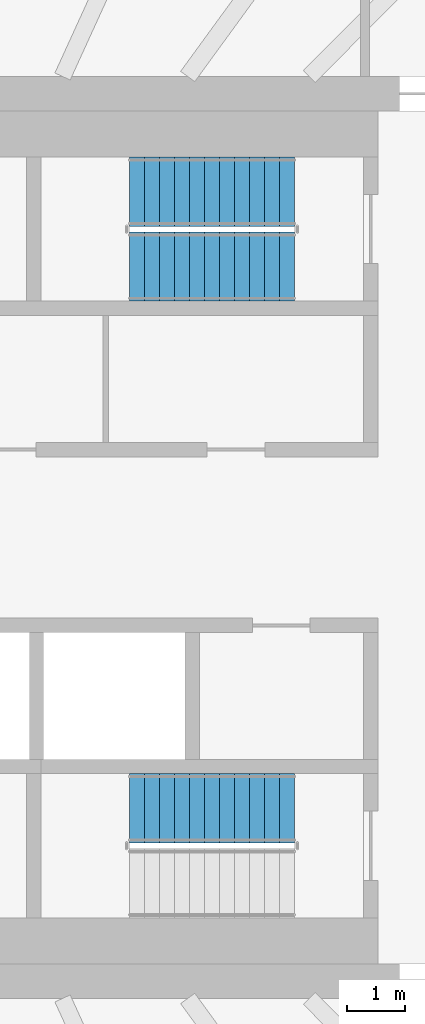
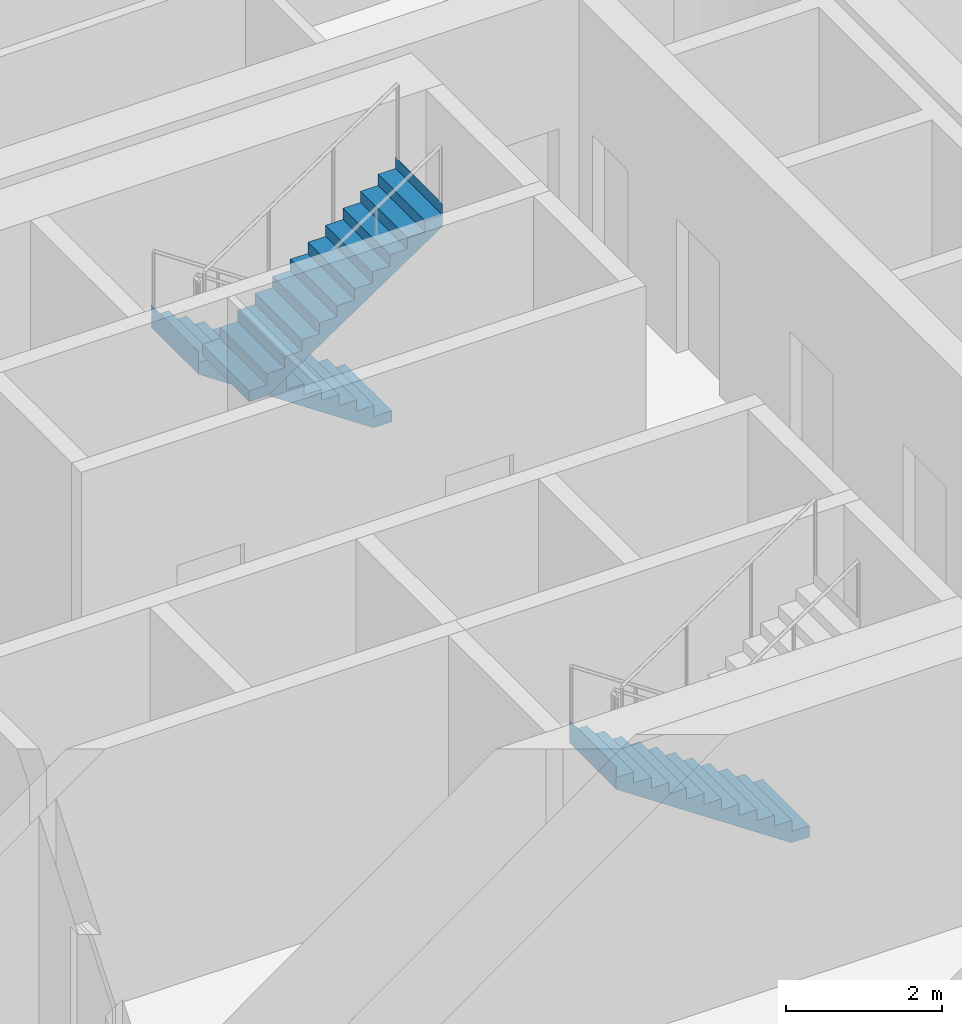
# One storey, part 21 of 28: 3 stair flights, 2 elements without a shape of their own.
"""IFC4 building model written with IfcOpenShell, lengths in metres."""

from ifc_helpers import new_model, si_unit, direction, frame, origin, place, context, subcontext, project, spatial, triangles, material, type_object, element, aggregate, save


model = new_model("IFC4")

# Units and contexts
model_context = context("Model", 3, precision=1e-05, world=origin(), true_north=direction((0.0, 1.0)))
body_context = subcontext(model_context, "Body", "Model", "MODEL_VIEW")
ifc_project = project(units=[si_unit("LENGTHUNIT", "METRE"), si_unit("AREAUNIT", "SQUARE_METRE"), si_unit("VOLUMEUNIT", "CUBIC_METRE"), si_unit("PLANEANGLEUNIT", "RADIAN"), si_unit("MASSUNIT", "GRAM", prefix="KILO")], contexts=[model_context])

# Site, building, storey
site_placement = place(None, origin())
site = spatial("IfcSite", under=ifc_project, at=site_placement, CompositionType="ELEMENT")
building_placement = place(site_placement, origin())
building = spatial("IfcBuilding", under=site, at=building_placement, Name="Sahrelin Media Tower", CompositionType="ELEMENT")
storey_placement = place(building_placement, frame((0.0, 0.0, 75.60009765625)))
storey = spatial("IfcBuildingStorey", under=building, at=storey_placement, Name="L13", CompositionType="ELEMENT", Elevation=75.60009765625)

# Stair, stair flights
ifc_material = material(Name="Concrete C40/50", Category="concrete")
stair_type = type_object("IfcStairType", Name="Exit stair 1200", PredefinedType="HALF_TURN_STAIR", material=ifc_material)
placement = place(storey_placement, origin())
stair_1 = element("IfcStair", 1, at=placement, inside=storey, type_object=stair_type, Name="L13 Exit stair ST3", PredefinedType="HALF_TURN_STAIR")
stair_flight_type = type_object("IfcStairFlightType", Name="Stair flight 1200", PredefinedType="STRAIGHT", material=ifc_material)
stair_flight_1_placement = place(storey_placement, frame((7.675048828125, 6.0, 0.0), z_axis=(0.0, 0.0, 1.0), x_axis=(-1.0, 0.0, 0.0)))
stair_flight_1 = element("IfcStairFlight", 2, at=stair_flight_1_placement, type_object=stair_flight_type, Name="ST3 flight 1", NumberOfRisers=12, NumberOfTreads=11, PredefinedType="STRAIGHT", RiserHeight=0.175, TreadLength=0.26, context=body_context, shape_type="Tessellation", body=[
    triangles([(0.2685546875, 0.60009765625, 0.0), (0.2685546875, 0.300048828125, 0.0), (0.2685546875, 0.0, 0.0), (0.2685546875, -0.300048828125, 0.0), (0.2685546875, -0.60009765625, 0.0), (2.860107421875, 0.60009765625, 1.744384765625), (2.860107421875, 0.300048828125, 1.744384765625), (2.860107421875, 0.0, 1.744384765625), (2.860107421875, -0.300048828125, 1.744384765625), (2.860107421875, -0.60009765625, 1.744384765625), (2.860107421875, 0.60009765625, 2.10009765625), (2.860107421875, 0.300048828125, 2.10009765625), (2.860107421875, 0.0, 2.10009765625), (2.860107421875, -0.300048828125, 2.10009765625), (2.860107421875, -0.60009765625, 2.10009765625), (2.85791015625, 0.60009765625, 2.10009765625), (2.85791015625, 0.300048828125, 2.10009765625), (2.85791015625, 0.0, 2.10009765625), (2.85791015625, -0.300048828125, 2.10009765625), (2.85791015625, -0.60009765625, 2.10009765625), (2.85791015625, 0.60009765625, 1.925048828125), (2.85791015625, 0.300048828125, 1.925048828125), (2.85791015625, 0.0, 1.925048828125), (2.85791015625, -0.300048828125, 1.925048828125), (2.85791015625, -0.60009765625, 1.925048828125), (2.60009765625, 0.60009765625, 1.925048828125), (2.60009765625, 0.300048828125, 1.925048828125), (2.60009765625, 0.0, 1.925048828125), (2.60009765625, -0.300048828125, 1.925048828125), (2.60009765625, -0.60009765625, 1.925048828125), (2.60009765625, 0.60009765625, 1.75), (2.60009765625, 0.300048828125, 1.75), (2.60009765625, 0.0, 1.75), (2.60009765625, -0.300048828125, 1.75), (2.60009765625, -0.60009765625, 1.75), (2.340087890625, 0.60009765625, 1.75), (2.340087890625, 0.300048828125, 1.75), (2.340087890625, 0.0, 1.75), (2.340087890625, -0.300048828125, 1.75), (2.340087890625, -0.60009765625, 1.75), (2.340087890625, 0.60009765625, 1.574951171875), (2.340087890625, 0.300048828125, 1.574951171875), (2.340087890625, 0.0, 1.574951171875), (2.340087890625, -0.300048828125, 1.574951171875), (2.340087890625, -0.60009765625, 1.574951171875), (2.080078125, 0.60009765625, 1.574951171875), (2.080078125, 0.300048828125, 1.574951171875), (2.080078125, 0.0, 1.574951171875), (2.080078125, -0.300048828125, 1.574951171875), (2.080078125, -0.60009765625, 1.574951171875), (2.080078125, 0.60009765625, 1.39990234375), (2.080078125, 0.300048828125, 1.39990234375), (2.080078125, 0.0, 1.39990234375), (2.080078125, -0.300048828125, 1.39990234375), (2.080078125, -0.60009765625, 1.39990234375), (1.820068359375, 0.60009765625, 1.39990234375), (1.820068359375, 0.300048828125, 1.39990234375), (1.820068359375, 0.0, 1.39990234375), (1.820068359375, -0.300048828125, 1.39990234375), (1.820068359375, -0.60009765625, 1.39990234375), (1.820068359375, 0.60009765625, 1.22509765625), (1.820068359375, 0.300048828125, 1.22509765625), (1.820068359375, 0.0, 1.22509765625), (1.820068359375, -0.300048828125, 1.22509765625), (1.820068359375, -0.60009765625, 1.22509765625), (1.56005859375, 0.60009765625, 1.22509765625), (1.56005859375, 0.300048828125, 1.22509765625), (1.56005859375, 0.0, 1.22509765625), (1.56005859375, -0.300048828125, 1.22509765625), (1.56005859375, -0.60009765625, 1.22509765625), (1.56005859375, 0.60009765625, 1.050048828125), (1.56005859375, 0.300048828125, 1.050048828125), (1.56005859375, 0.0, 1.050048828125), (1.56005859375, -0.300048828125, 1.050048828125), (1.56005859375, -0.60009765625, 1.050048828125), (1.300048828125, 0.60009765625, 1.050048828125), (1.300048828125, 0.300048828125, 1.050048828125), (1.300048828125, 0.0, 1.050048828125), (1.300048828125, -0.300048828125, 1.050048828125), (1.300048828125, -0.60009765625, 1.050048828125), (1.300048828125, 0.60009765625, 0.875), (1.300048828125, 0.300048828125, 0.875), (1.300048828125, 0.0, 0.875), (1.300048828125, -0.300048828125, 0.875), (1.300048828125, -0.60009765625, 0.875), (1.0400390625, 0.60009765625, 0.875), (1.0400390625, 0.300048828125, 0.875), (1.0400390625, 0.0, 0.875), (1.0400390625, -0.300048828125, 0.875), (1.0400390625, -0.60009765625, 0.875), (1.0400390625, 0.60009765625, 0.699951171875), (1.0400390625, 0.300048828125, 0.699951171875), (1.0400390625, 0.0, 0.699951171875), (1.0400390625, -0.300048828125, 0.699951171875), (1.0400390625, -0.60009765625, 0.699951171875), (0.780029296875, 0.60009765625, 0.699951171875), (0.780029296875, 0.300048828125, 0.699951171875), (0.780029296875, 0.0, 0.699951171875), (0.780029296875, -0.300048828125, 0.699951171875), (0.780029296875, -0.60009765625, 0.699951171875), (0.780029296875, 0.60009765625, 0.52490234375), (0.780029296875, 0.300048828125, 0.52490234375), (0.780029296875, 0.0, 0.52490234375), (0.780029296875, -0.300048828125, 0.52490234375), (0.780029296875, -0.60009765625, 0.52490234375), (0.52001953125, 0.60009765625, 0.52490234375), (0.52001953125, 0.300048828125, 0.52490234375), (0.52001953125, 0.0, 0.52490234375), (0.52001953125, -0.300048828125, 0.52490234375), (0.52001953125, -0.60009765625, 0.52490234375), (0.52001953125, 0.60009765625, 0.35009765625), (0.52001953125, 0.300048828125, 0.35009765625), (0.52001953125, 0.0, 0.35009765625), (0.52001953125, -0.300048828125, 0.35009765625), (0.52001953125, -0.60009765625, 0.35009765625), (0.260009765625, 0.60009765625, 0.35009765625), (0.260009765625, 0.300048828125, 0.35009765625), (0.260009765625, 0.0, 0.35009765625), (0.260009765625, -0.300048828125, 0.35009765625), (0.260009765625, -0.60009765625, 0.35009765625), (0.260009765625, 0.60009765625, 0.175048828125), (0.260009765625, 0.300048828125, 0.175048828125), (0.260009765625, 0.0, 0.175048828125), (0.260009765625, -0.300048828125, 0.175048828125), (0.260009765625, -0.60009765625, 0.175048828125), (0.0, 0.60009765625, 0.175048828125), (0.0, 0.300048828125, 0.175048828125), (0.0, 0.0, 0.175048828125), (0.0, -0.300048828125, 0.175048828125), (0.0, -0.60009765625, 0.175048828125), (0.0, 0.60009765625, 0.0), (0.0, 0.300048828125, 0.0), (0.0, 0.0, 0.0), (0.0, -0.300048828125, 0.0), (0.0, -0.60009765625, 0.0)], [[1, 6, 7], [1, 7, 2], [2, 7, 8], [2, 8, 3], [3, 8, 9], [3, 9, 4], [4, 9, 10], [4, 10, 5], [6, 11, 12], [6, 12, 7], [7, 12, 13], [7, 13, 8], [8, 13, 14], [8, 14, 9], [9, 14, 15], [9, 15, 10], [11, 16, 17], [11, 17, 12], [12, 17, 18], [12, 18, 13], [13, 18, 19], [13, 19, 14], [14, 19, 20], [14, 20, 15], [16, 21, 22], [16, 22, 17], [17, 22, 23], [17, 23, 18], [18, 23, 24], [18, 24, 19], [19, 24, 25], [19, 25, 20], [21, 26, 27], [21, 27, 22], [22, 27, 28], [22, 28, 23], [23, 28, 29], [23, 29, 24], [24, 29, 30], [24, 30, 25], [26, 31, 32], [26, 32, 27], [27, 32, 33], [27, 33, 28], [28, 33, 34], [28, 34, 29], [29, 34, 35], [29, 35, 30], [31, 36, 37], [31, 37, 32], [32, 37, 38], [32, 38, 33], [33, 38, 39], [33, 39, 34], [34, 39, 40], [34, 40, 35], [36, 41, 42], [36, 42, 37], [37, 42, 43], [37, 43, 38], [38, 43, 44], [38, 44, 39], [39, 44, 45], [39, 45, 40], [41, 46, 47], [41, 47, 42], [42, 47, 48], [42, 48, 43], [43, 48, 49], [43, 49, 44], [44, 49, 50], [44, 50, 45], [46, 51, 52], [46, 52, 47], [47, 52, 53], [47, 53, 48], [48, 53, 54], [48, 54, 49], [49, 54, 55], [49, 55, 50], [51, 56, 57], [51, 57, 52], [52, 57, 58], [52, 58, 53], [53, 58, 59], [53, 59, 54], [54, 59, 60], [54, 60, 55], [56, 61, 62], [56, 62, 57], [57, 62, 63], [57, 63, 58], [58, 63, 64], [58, 64, 59], [59, 64, 65], [59, 65, 60], [61, 66, 67], [61, 67, 62], [62, 67, 68], [62, 68, 63], [63, 68, 69], [63, 69, 64], [64, 69, 70], [64, 70, 65], [66, 71, 72], [66, 72, 67], [67, 72, 73], [67, 73, 68], [68, 73, 74], [68, 74, 69], [69, 74, 75], [69, 75, 70], [71, 76, 77], [71, 77, 72], [72, 77, 78], [72, 78, 73], [73, 78, 79], [73, 79, 74], [74, 79, 80], [74, 80, 75], [76, 81, 82], [76, 82, 77], [77, 82, 83], [77, 83, 78], [78, 83, 84], [78, 84, 79], [79, 84, 85], [79, 85, 80], [81, 86, 87], [81, 87, 82], [82, 87, 88], [82, 88, 83], [83, 88, 89], [83, 89, 84], [84, 89, 90], [84, 90, 85], [86, 91, 92], [86, 92, 87], [87, 92, 93], [87, 93, 88], [88, 93, 94], [88, 94, 89], [89, 94, 95], [89, 95, 90], [91, 96, 97], [91, 97, 92], [92, 97, 98], [92, 98, 93], [93, 98, 99], [93, 99, 94], [94, 99, 100], [94, 100, 95], [96, 101, 102], [96, 102, 97], [97, 102, 103], [97, 103, 98], [98, 103, 104], [98, 104, 99], [99, 104, 105], [99, 105, 100], [101, 106, 107], [101, 107, 102], [102, 107, 108], [102, 108, 103], [103, 108, 109], [103, 109, 104], [104, 109, 110], [104, 110, 105], [106, 111, 112], [106, 112, 107], [107, 112, 113], [107, 113, 108], [108, 113, 114], [108, 114, 109], [109, 114, 115], [109, 115, 110], [111, 116, 117], [111, 117, 112], [112, 117, 118], [112, 118, 113], [113, 118, 119], [113, 119, 114], [114, 119, 120], [114, 120, 115], [116, 121, 122], [116, 122, 117], [117, 122, 123], [117, 123, 118], [118, 123, 124], [118, 124, 119], [119, 124, 125], [119, 125, 120], [121, 126, 127], [121, 127, 122], [122, 127, 128], [122, 128, 123], [123, 128, 129], [123, 129, 124], [124, 129, 130], [124, 130, 125], [126, 131, 132], [126, 132, 127], [127, 132, 133], [127, 133, 128], [128, 133, 134], [128, 134, 129], [129, 134, 135], [129, 135, 130], [131, 1, 2], [131, 2, 132], [132, 2, 3], [132, 3, 133], [133, 3, 4], [133, 4, 134], [134, 4, 5], [134, 5, 135], [125, 130, 135], [121, 131, 126], [125, 115, 120], [121, 116, 111], [115, 105, 110], [111, 106, 101], [105, 95, 100], [101, 96, 91], [95, 85, 90], [91, 86, 81], [85, 75, 80], [81, 76, 71], [75, 65, 70], [71, 66, 61], [65, 55, 60], [61, 56, 51], [55, 45, 50], [51, 46, 41], [45, 35, 40], [41, 36, 31], [35, 25, 30], [31, 26, 21], [25, 15, 20], [21, 16, 11], [135, 5, 125], [131, 121, 1], [95, 105, 5], [91, 1, 101], [5, 10, 75], [1, 71, 6], [10, 35, 45], [6, 41, 31], [25, 10, 15], [21, 11, 6], [115, 125, 5], [111, 1, 121], [75, 85, 5], [71, 1, 81], [35, 10, 25], [31, 21, 6], [105, 115, 5], [101, 1, 111], [45, 55, 10], [41, 6, 51], [85, 95, 5], [81, 1, 91], [65, 10, 55], [61, 51, 6], [10, 65, 75], [6, 71, 61]], closed=True),
])
stair_flight_2_placement = place(storey_placement, frame((4.81494140625, 4.699951171875, 2.099853515625), z_axis=(0.0, 0.0, 1.0), x_axis=(1.0, 0.0, 0.0)))
stair_flight_2 = element("IfcStairFlight", 3, at=stair_flight_2_placement, type_object=stair_flight_type, Name="ST3 flight 2", NumberOfRisers=12, NumberOfTreads=11, PredefinedType="STRAIGHT", RiserHeight=0.175, TreadLength=0.26, context=body_context, shape_type="Tessellation", body=[
    triangles([(0.2685546875, 0.60009765625, 0.0), (0.2685546875, 0.300048828125, 0.0), (0.2685546875, 0.0, 0.0), (0.2685546875, -0.300048828125, 0.0), (0.2685546875, -0.60009765625, 0.0), (2.860107421875, 0.60009765625, 1.744384765625), (2.860107421875, 0.300048828125, 1.744384765625), (2.860107421875, 0.0, 1.744384765625), (2.860107421875, -0.300048828125, 1.744384765625), (2.860107421875, -0.60009765625, 1.744384765625), (2.860107421875, 0.60009765625, 2.10009765625), (2.860107421875, 0.300048828125, 2.10009765625), (2.860107421875, 0.0, 2.10009765625), (2.860107421875, -0.300048828125, 2.10009765625), (2.860107421875, -0.60009765625, 2.10009765625), (2.85791015625, 0.60009765625, 2.10009765625), (2.85791015625, 0.300048828125, 2.10009765625), (2.85791015625, 0.0, 2.10009765625), (2.85791015625, -0.300048828125, 2.10009765625), (2.85791015625, -0.60009765625, 2.10009765625), (2.85791015625, 0.60009765625, 1.925048828125), (2.85791015625, 0.300048828125, 1.925048828125), (2.85791015625, 0.0, 1.925048828125), (2.85791015625, -0.300048828125, 1.925048828125), (2.85791015625, -0.60009765625, 1.925048828125), (2.60009765625, 0.60009765625, 1.925048828125), (2.60009765625, 0.300048828125, 1.925048828125), (2.60009765625, 0.0, 1.925048828125), (2.60009765625, -0.300048828125, 1.925048828125), (2.60009765625, -0.60009765625, 1.925048828125), (2.60009765625, 0.60009765625, 1.75), (2.60009765625, 0.300048828125, 1.75), (2.60009765625, 0.0, 1.75), (2.60009765625, -0.300048828125, 1.75), (2.60009765625, -0.60009765625, 1.75), (2.340087890625, 0.60009765625, 1.75), (2.340087890625, 0.300048828125, 1.75), (2.340087890625, 0.0, 1.75), (2.340087890625, -0.300048828125, 1.75), (2.340087890625, -0.60009765625, 1.75), (2.340087890625, 0.60009765625, 1.574951171875), (2.340087890625, 0.300048828125, 1.574951171875), (2.340087890625, 0.0, 1.574951171875), (2.340087890625, -0.300048828125, 1.574951171875), (2.340087890625, -0.60009765625, 1.574951171875), (2.080078125, 0.60009765625, 1.574951171875), (2.080078125, 0.300048828125, 1.574951171875), (2.080078125, 0.0, 1.574951171875), (2.080078125, -0.300048828125, 1.574951171875), (2.080078125, -0.60009765625, 1.574951171875), (2.080078125, 0.60009765625, 1.39990234375), (2.080078125, 0.300048828125, 1.39990234375), (2.080078125, 0.0, 1.39990234375), (2.080078125, -0.300048828125, 1.39990234375), (2.080078125, -0.60009765625, 1.39990234375), (1.820068359375, 0.60009765625, 1.39990234375), (1.820068359375, 0.300048828125, 1.39990234375), (1.820068359375, 0.0, 1.39990234375), (1.820068359375, -0.300048828125, 1.39990234375), (1.820068359375, -0.60009765625, 1.39990234375), (1.820068359375, 0.60009765625, 1.22509765625), (1.820068359375, 0.300048828125, 1.22509765625), (1.820068359375, 0.0, 1.22509765625), (1.820068359375, -0.300048828125, 1.22509765625), (1.820068359375, -0.60009765625, 1.22509765625), (1.56005859375, 0.60009765625, 1.22509765625), (1.56005859375, 0.300048828125, 1.22509765625), (1.56005859375, 0.0, 1.22509765625), (1.56005859375, -0.300048828125, 1.22509765625), (1.56005859375, -0.60009765625, 1.22509765625), (1.56005859375, 0.60009765625, 1.050048828125), (1.56005859375, 0.300048828125, 1.050048828125), (1.56005859375, 0.0, 1.050048828125), (1.56005859375, -0.300048828125, 1.050048828125), (1.56005859375, -0.60009765625, 1.050048828125), (1.300048828125, 0.60009765625, 1.050048828125), (1.300048828125, 0.300048828125, 1.050048828125), (1.300048828125, 0.0, 1.050048828125), (1.300048828125, -0.300048828125, 1.050048828125), (1.300048828125, -0.60009765625, 1.050048828125), (1.300048828125, 0.60009765625, 0.875), (1.300048828125, 0.300048828125, 0.875), (1.300048828125, 0.0, 0.875), (1.300048828125, -0.300048828125, 0.875), (1.300048828125, -0.60009765625, 0.875), (1.0400390625, 0.60009765625, 0.875), (1.0400390625, 0.300048828125, 0.875), (1.0400390625, 0.0, 0.875), (1.0400390625, -0.300048828125, 0.875), (1.0400390625, -0.60009765625, 0.875), (1.0400390625, 0.60009765625, 0.699951171875), (1.0400390625, 0.300048828125, 0.699951171875), (1.0400390625, 0.0, 0.699951171875), (1.0400390625, -0.300048828125, 0.699951171875), (1.0400390625, -0.60009765625, 0.699951171875), (0.780029296875, 0.60009765625, 0.699951171875), (0.780029296875, 0.300048828125, 0.699951171875), (0.780029296875, 0.0, 0.699951171875), (0.780029296875, -0.300048828125, 0.699951171875), (0.780029296875, -0.60009765625, 0.699951171875), (0.780029296875, 0.60009765625, 0.52490234375), (0.780029296875, 0.300048828125, 0.52490234375), (0.780029296875, 0.0, 0.52490234375), (0.780029296875, -0.300048828125, 0.52490234375), (0.780029296875, -0.60009765625, 0.52490234375), (0.52001953125, 0.60009765625, 0.52490234375), (0.52001953125, 0.300048828125, 0.52490234375), (0.52001953125, 0.0, 0.52490234375), (0.52001953125, -0.300048828125, 0.52490234375), (0.52001953125, -0.60009765625, 0.52490234375), (0.52001953125, 0.60009765625, 0.35009765625), (0.52001953125, 0.300048828125, 0.35009765625), (0.52001953125, 0.0, 0.35009765625), (0.52001953125, -0.300048828125, 0.35009765625), (0.52001953125, -0.60009765625, 0.35009765625), (0.260009765625, 0.60009765625, 0.35009765625), (0.260009765625, 0.300048828125, 0.35009765625), (0.260009765625, 0.0, 0.35009765625), (0.260009765625, -0.300048828125, 0.35009765625), (0.260009765625, -0.60009765625, 0.35009765625), (0.260009765625, 0.60009765625, 0.175048828125), (0.260009765625, 0.300048828125, 0.175048828125), (0.260009765625, 0.0, 0.175048828125), (0.260009765625, -0.300048828125, 0.175048828125), (0.260009765625, -0.60009765625, 0.175048828125), (0.0, 0.60009765625, 0.175048828125), (0.0, 0.300048828125, 0.175048828125), (0.0, 0.0, 0.175048828125), (0.0, -0.300048828125, 0.175048828125), (0.0, -0.60009765625, 0.175048828125), (0.0, 0.60009765625, 0.0), (0.0, 0.300048828125, 0.0), (0.0, 0.0, 0.0), (0.0, -0.300048828125, 0.0), (0.0, -0.60009765625, 0.0)], [[1, 6, 7], [1, 7, 2], [2, 7, 8], [2, 8, 3], [3, 8, 9], [3, 9, 4], [4, 9, 10], [4, 10, 5], [6, 11, 12], [6, 12, 7], [7, 12, 13], [7, 13, 8], [8, 13, 14], [8, 14, 9], [9, 14, 15], [9, 15, 10], [11, 16, 17], [11, 17, 12], [12, 17, 18], [12, 18, 13], [13, 18, 19], [13, 19, 14], [14, 19, 20], [14, 20, 15], [16, 21, 22], [16, 22, 17], [17, 22, 23], [17, 23, 18], [18, 23, 24], [18, 24, 19], [19, 24, 25], [19, 25, 20], [21, 26, 27], [21, 27, 22], [22, 27, 28], [22, 28, 23], [23, 28, 29], [23, 29, 24], [24, 29, 30], [24, 30, 25], [26, 31, 32], [26, 32, 27], [27, 32, 33], [27, 33, 28], [28, 33, 34], [28, 34, 29], [29, 34, 35], [29, 35, 30], [31, 36, 37], [31, 37, 32], [32, 37, 38], [32, 38, 33], [33, 38, 39], [33, 39, 34], [34, 39, 40], [34, 40, 35], [36, 41, 42], [36, 42, 37], [37, 42, 43], [37, 43, 38], [38, 43, 44], [38, 44, 39], [39, 44, 45], [39, 45, 40], [41, 46, 47], [41, 47, 42], [42, 47, 48], [42, 48, 43], [43, 48, 49], [43, 49, 44], [44, 49, 50], [44, 50, 45], [46, 51, 52], [46, 52, 47], [47, 52, 53], [47, 53, 48], [48, 53, 54], [48, 54, 49], [49, 54, 55], [49, 55, 50], [51, 56, 57], [51, 57, 52], [52, 57, 58], [52, 58, 53], [53, 58, 59], [53, 59, 54], [54, 59, 60], [54, 60, 55], [56, 61, 62], [56, 62, 57], [57, 62, 63], [57, 63, 58], [58, 63, 64], [58, 64, 59], [59, 64, 65], [59, 65, 60], [61, 66, 67], [61, 67, 62], [62, 67, 68], [62, 68, 63], [63, 68, 69], [63, 69, 64], [64, 69, 70], [64, 70, 65], [66, 71, 72], [66, 72, 67], [67, 72, 73], [67, 73, 68], [68, 73, 74], [68, 74, 69], [69, 74, 75], [69, 75, 70], [71, 76, 77], [71, 77, 72], [72, 77, 78], [72, 78, 73], [73, 78, 79], [73, 79, 74], [74, 79, 80], [74, 80, 75], [76, 81, 82], [76, 82, 77], [77, 82, 83], [77, 83, 78], [78, 83, 84], [78, 84, 79], [79, 84, 85], [79, 85, 80], [81, 86, 87], [81, 87, 82], [82, 87, 88], [82, 88, 83], [83, 88, 89], [83, 89, 84], [84, 89, 90], [84, 90, 85], [86, 91, 92], [86, 92, 87], [87, 92, 93], [87, 93, 88], [88, 93, 94], [88, 94, 89], [89, 94, 95], [89, 95, 90], [91, 96, 97], [91, 97, 92], [92, 97, 98], [92, 98, 93], [93, 98, 99], [93, 99, 94], [94, 99, 100], [94, 100, 95], [96, 101, 102], [96, 102, 97], [97, 102, 103], [97, 103, 98], [98, 103, 104], [98, 104, 99], [99, 104, 105], [99, 105, 100], [101, 106, 107], [101, 107, 102], [102, 107, 108], [102, 108, 103], [103, 108, 109], [103, 109, 104], [104, 109, 110], [104, 110, 105], [106, 111, 112], [106, 112, 107], [107, 112, 113], [107, 113, 108], [108, 113, 114], [108, 114, 109], [109, 114, 115], [109, 115, 110], [111, 116, 117], [111, 117, 112], [112, 117, 118], [112, 118, 113], [113, 118, 119], [113, 119, 114], [114, 119, 120], [114, 120, 115], [116, 121, 122], [116, 122, 117], [117, 122, 123], [117, 123, 118], [118, 123, 124], [118, 124, 119], [119, 124, 125], [119, 125, 120], [121, 126, 127], [121, 127, 122], [122, 127, 128], [122, 128, 123], [123, 128, 129], [123, 129, 124], [124, 129, 130], [124, 130, 125], [126, 131, 132], [126, 132, 127], [127, 132, 133], [127, 133, 128], [128, 133, 134], [128, 134, 129], [129, 134, 135], [129, 135, 130], [131, 1, 2], [131, 2, 132], [132, 2, 3], [132, 3, 133], [133, 3, 4], [133, 4, 134], [134, 4, 5], [134, 5, 135], [125, 130, 135], [121, 131, 126], [125, 115, 120], [121, 116, 111], [115, 105, 110], [111, 106, 101], [105, 95, 100], [101, 96, 91], [95, 85, 90], [91, 86, 81], [85, 75, 80], [81, 76, 71], [75, 65, 70], [71, 66, 61], [65, 55, 60], [61, 56, 51], [55, 45, 50], [51, 46, 41], [45, 35, 40], [41, 36, 31], [35, 25, 30], [31, 26, 21], [25, 15, 20], [21, 16, 11], [135, 5, 125], [131, 121, 1], [95, 105, 5], [91, 1, 101], [5, 10, 75], [1, 71, 6], [10, 35, 45], [6, 41, 31], [25, 10, 15], [21, 11, 6], [115, 125, 5], [111, 1, 121], [75, 85, 5], [71, 1, 81], [35, 10, 25], [31, 21, 6], [105, 115, 5], [101, 1, 111], [45, 55, 10], [41, 6, 51], [85, 95, 5], [81, 1, 91], [65, 10, 55], [61, 51, 6], [10, 65, 75], [6, 71, 61]], closed=True),
])
aggregate(stair_1, [stair_flight_1, stair_flight_2])

# Stair, stair flight
stair_2 = element("IfcStair", 4, at=placement, inside=storey, type_object=stair_type, Name="L13 Exit stair ST2", PredefinedType="HALF_TURN_STAIR")
stair_flight_3_placement = place(storey_placement, frame((7.675048828125, -4.699951171875, 0.0), z_axis=(0.0, 0.0, 1.0), x_axis=(-1.0, 0.0, 0.0)))
stair_flight_3 = element("IfcStairFlight", 5, at=stair_flight_3_placement, type_object=stair_flight_type, Name="ST2 flight 1", NumberOfRisers=12, NumberOfTreads=11, PredefinedType="STRAIGHT", RiserHeight=0.175, TreadLength=0.26, context=body_context, shape_type="Tessellation", body=[
    triangles([(0.2685546875, 0.60009765625, 0.0), (0.2685546875, 0.300048828125, 0.0), (0.2685546875, 0.0, 0.0), (0.2685546875, -0.300048828125, 0.0), (0.2685546875, -0.60009765625, 0.0), (2.860107421875, 0.60009765625, 1.744384765625), (2.860107421875, 0.300048828125, 1.744384765625), (2.860107421875, 0.0, 1.744384765625), (2.860107421875, -0.300048828125, 1.744384765625), (2.860107421875, -0.60009765625, 1.744384765625), (2.860107421875, 0.60009765625, 2.10009765625), (2.860107421875, 0.300048828125, 2.10009765625), (2.860107421875, 0.0, 2.10009765625), (2.860107421875, -0.300048828125, 2.10009765625), (2.860107421875, -0.60009765625, 2.10009765625), (2.85791015625, 0.60009765625, 2.10009765625), (2.85791015625, 0.300048828125, 2.10009765625), (2.85791015625, 0.0, 2.10009765625), (2.85791015625, -0.300048828125, 2.10009765625), (2.85791015625, -0.60009765625, 2.10009765625), (2.85791015625, 0.60009765625, 1.925048828125), (2.85791015625, 0.300048828125, 1.925048828125), (2.85791015625, 0.0, 1.925048828125), (2.85791015625, -0.300048828125, 1.925048828125), (2.85791015625, -0.60009765625, 1.925048828125), (2.60009765625, 0.60009765625, 1.925048828125), (2.60009765625, 0.300048828125, 1.925048828125), (2.60009765625, 0.0, 1.925048828125), (2.60009765625, -0.300048828125, 1.925048828125), (2.60009765625, -0.60009765625, 1.925048828125), (2.60009765625, 0.60009765625, 1.75), (2.60009765625, 0.300048828125, 1.75), (2.60009765625, 0.0, 1.75), (2.60009765625, -0.300048828125, 1.75), (2.60009765625, -0.60009765625, 1.75), (2.340087890625, 0.60009765625, 1.75), (2.340087890625, 0.300048828125, 1.75), (2.340087890625, 0.0, 1.75), (2.340087890625, -0.300048828125, 1.75), (2.340087890625, -0.60009765625, 1.75), (2.340087890625, 0.60009765625, 1.574951171875), (2.340087890625, 0.300048828125, 1.574951171875), (2.340087890625, 0.0, 1.574951171875), (2.340087890625, -0.300048828125, 1.574951171875), (2.340087890625, -0.60009765625, 1.574951171875), (2.080078125, 0.60009765625, 1.574951171875), (2.080078125, 0.300048828125, 1.574951171875), (2.080078125, 0.0, 1.574951171875), (2.080078125, -0.300048828125, 1.574951171875), (2.080078125, -0.60009765625, 1.574951171875), (2.080078125, 0.60009765625, 1.39990234375), (2.080078125, 0.300048828125, 1.39990234375), (2.080078125, 0.0, 1.39990234375), (2.080078125, -0.300048828125, 1.39990234375), (2.080078125, -0.60009765625, 1.39990234375), (1.820068359375, 0.60009765625, 1.39990234375), (1.820068359375, 0.300048828125, 1.39990234375), (1.820068359375, 0.0, 1.39990234375), (1.820068359375, -0.300048828125, 1.39990234375), (1.820068359375, -0.60009765625, 1.39990234375), (1.820068359375, 0.60009765625, 1.22509765625), (1.820068359375, 0.300048828125, 1.22509765625), (1.820068359375, 0.0, 1.22509765625), (1.820068359375, -0.300048828125, 1.22509765625), (1.820068359375, -0.60009765625, 1.22509765625), (1.56005859375, 0.60009765625, 1.22509765625), (1.56005859375, 0.300048828125, 1.22509765625), (1.56005859375, 0.0, 1.22509765625), (1.56005859375, -0.300048828125, 1.22509765625), (1.56005859375, -0.60009765625, 1.22509765625), (1.56005859375, 0.60009765625, 1.050048828125), (1.56005859375, 0.300048828125, 1.050048828125), (1.56005859375, 0.0, 1.050048828125), (1.56005859375, -0.300048828125, 1.050048828125), (1.56005859375, -0.60009765625, 1.050048828125), (1.300048828125, 0.60009765625, 1.050048828125), (1.300048828125, 0.300048828125, 1.050048828125), (1.300048828125, 0.0, 1.050048828125), (1.300048828125, -0.300048828125, 1.050048828125), (1.300048828125, -0.60009765625, 1.050048828125), (1.300048828125, 0.60009765625, 0.875), (1.300048828125, 0.300048828125, 0.875), (1.300048828125, 0.0, 0.875), (1.300048828125, -0.300048828125, 0.875), (1.300048828125, -0.60009765625, 0.875), (1.0400390625, 0.60009765625, 0.875), (1.0400390625, 0.300048828125, 0.875), (1.0400390625, 0.0, 0.875), (1.0400390625, -0.300048828125, 0.875), (1.0400390625, -0.60009765625, 0.875), (1.0400390625, 0.60009765625, 0.699951171875), (1.0400390625, 0.300048828125, 0.699951171875), (1.0400390625, 0.0, 0.699951171875), (1.0400390625, -0.300048828125, 0.699951171875), (1.0400390625, -0.60009765625, 0.699951171875), (0.780029296875, 0.60009765625, 0.699951171875), (0.780029296875, 0.300048828125, 0.699951171875), (0.780029296875, 0.0, 0.699951171875), (0.780029296875, -0.300048828125, 0.699951171875), (0.780029296875, -0.60009765625, 0.699951171875), (0.780029296875, 0.60009765625, 0.52490234375), (0.780029296875, 0.300048828125, 0.52490234375), (0.780029296875, 0.0, 0.52490234375), (0.780029296875, -0.300048828125, 0.52490234375), (0.780029296875, -0.60009765625, 0.52490234375), (0.52001953125, 0.60009765625, 0.52490234375), (0.52001953125, 0.300048828125, 0.52490234375), (0.52001953125, 0.0, 0.52490234375), (0.52001953125, -0.300048828125, 0.52490234375), (0.52001953125, -0.60009765625, 0.52490234375), (0.52001953125, 0.60009765625, 0.35009765625), (0.52001953125, 0.300048828125, 0.35009765625), (0.52001953125, 0.0, 0.35009765625), (0.52001953125, -0.300048828125, 0.35009765625), (0.52001953125, -0.60009765625, 0.35009765625), (0.260009765625, 0.60009765625, 0.35009765625), (0.260009765625, 0.300048828125, 0.35009765625), (0.260009765625, 0.0, 0.35009765625), (0.260009765625, -0.300048828125, 0.35009765625), (0.260009765625, -0.60009765625, 0.35009765625), (0.260009765625, 0.60009765625, 0.175048828125), (0.260009765625, 0.300048828125, 0.175048828125), (0.260009765625, 0.0, 0.175048828125), (0.260009765625, -0.300048828125, 0.175048828125), (0.260009765625, -0.60009765625, 0.175048828125), (0.0, 0.60009765625, 0.175048828125), (0.0, 0.300048828125, 0.175048828125), (0.0, 0.0, 0.175048828125), (0.0, -0.300048828125, 0.175048828125), (0.0, -0.60009765625, 0.175048828125), (0.0, 0.60009765625, 0.0), (0.0, 0.300048828125, 0.0), (0.0, 0.0, 0.0), (0.0, -0.300048828125, 0.0), (0.0, -0.60009765625, 0.0)], [[1, 6, 7], [1, 7, 2], [2, 7, 8], [2, 8, 3], [3, 8, 9], [3, 9, 4], [4, 9, 10], [4, 10, 5], [6, 11, 12], [6, 12, 7], [7, 12, 13], [7, 13, 8], [8, 13, 14], [8, 14, 9], [9, 14, 15], [9, 15, 10], [11, 16, 17], [11, 17, 12], [12, 17, 18], [12, 18, 13], [13, 18, 19], [13, 19, 14], [14, 19, 20], [14, 20, 15], [16, 21, 22], [16, 22, 17], [17, 22, 23], [17, 23, 18], [18, 23, 24], [18, 24, 19], [19, 24, 25], [19, 25, 20], [21, 26, 27], [21, 27, 22], [22, 27, 28], [22, 28, 23], [23, 28, 29], [23, 29, 24], [24, 29, 30], [24, 30, 25], [26, 31, 32], [26, 32, 27], [27, 32, 33], [27, 33, 28], [28, 33, 34], [28, 34, 29], [29, 34, 35], [29, 35, 30], [31, 36, 37], [31, 37, 32], [32, 37, 38], [32, 38, 33], [33, 38, 39], [33, 39, 34], [34, 39, 40], [34, 40, 35], [36, 41, 42], [36, 42, 37], [37, 42, 43], [37, 43, 38], [38, 43, 44], [38, 44, 39], [39, 44, 45], [39, 45, 40], [41, 46, 47], [41, 47, 42], [42, 47, 48], [42, 48, 43], [43, 48, 49], [43, 49, 44], [44, 49, 50], [44, 50, 45], [46, 51, 52], [46, 52, 47], [47, 52, 53], [47, 53, 48], [48, 53, 54], [48, 54, 49], [49, 54, 55], [49, 55, 50], [51, 56, 57], [51, 57, 52], [52, 57, 58], [52, 58, 53], [53, 58, 59], [53, 59, 54], [54, 59, 60], [54, 60, 55], [56, 61, 62], [56, 62, 57], [57, 62, 63], [57, 63, 58], [58, 63, 64], [58, 64, 59], [59, 64, 65], [59, 65, 60], [61, 66, 67], [61, 67, 62], [62, 67, 68], [62, 68, 63], [63, 68, 69], [63, 69, 64], [64, 69, 70], [64, 70, 65], [66, 71, 72], [66, 72, 67], [67, 72, 73], [67, 73, 68], [68, 73, 74], [68, 74, 69], [69, 74, 75], [69, 75, 70], [71, 76, 77], [71, 77, 72], [72, 77, 78], [72, 78, 73], [73, 78, 79], [73, 79, 74], [74, 79, 80], [74, 80, 75], [76, 81, 82], [76, 82, 77], [77, 82, 83], [77, 83, 78], [78, 83, 84], [78, 84, 79], [79, 84, 85], [79, 85, 80], [81, 86, 87], [81, 87, 82], [82, 87, 88], [82, 88, 83], [83, 88, 89], [83, 89, 84], [84, 89, 90], [84, 90, 85], [86, 91, 92], [86, 92, 87], [87, 92, 93], [87, 93, 88], [88, 93, 94], [88, 94, 89], [89, 94, 95], [89, 95, 90], [91, 96, 97], [91, 97, 92], [92, 97, 98], [92, 98, 93], [93, 98, 99], [93, 99, 94], [94, 99, 100], [94, 100, 95], [96, 101, 102], [96, 102, 97], [97, 102, 103], [97, 103, 98], [98, 103, 104], [98, 104, 99], [99, 104, 105], [99, 105, 100], [101, 106, 107], [101, 107, 102], [102, 107, 108], [102, 108, 103], [103, 108, 109], [103, 109, 104], [104, 109, 110], [104, 110, 105], [106, 111, 112], [106, 112, 107], [107, 112, 113], [107, 113, 108], [108, 113, 114], [108, 114, 109], [109, 114, 115], [109, 115, 110], [111, 116, 117], [111, 117, 112], [112, 117, 118], [112, 118, 113], [113, 118, 119], [113, 119, 114], [114, 119, 120], [114, 120, 115], [116, 121, 122], [116, 122, 117], [117, 122, 123], [117, 123, 118], [118, 123, 124], [118, 124, 119], [119, 124, 125], [119, 125, 120], [121, 126, 127], [121, 127, 122], [122, 127, 128], [122, 128, 123], [123, 128, 129], [123, 129, 124], [124, 129, 130], [124, 130, 125], [126, 131, 132], [126, 132, 127], [127, 132, 133], [127, 133, 128], [128, 133, 134], [128, 134, 129], [129, 134, 135], [129, 135, 130], [131, 1, 2], [131, 2, 132], [132, 2, 3], [132, 3, 133], [133, 3, 4], [133, 4, 134], [134, 4, 5], [134, 5, 135], [125, 130, 135], [121, 131, 126], [125, 115, 120], [121, 116, 111], [115, 105, 110], [111, 106, 101], [105, 95, 100], [101, 96, 91], [95, 85, 90], [91, 86, 81], [85, 75, 80], [81, 76, 71], [75, 65, 70], [71, 66, 61], [65, 55, 60], [61, 56, 51], [55, 45, 50], [51, 46, 41], [45, 35, 40], [41, 36, 31], [35, 25, 30], [31, 26, 21], [25, 15, 20], [21, 16, 11], [135, 5, 125], [131, 121, 1], [95, 105, 5], [91, 1, 101], [5, 10, 75], [1, 71, 6], [10, 35, 45], [6, 41, 31], [25, 10, 15], [21, 11, 6], [115, 125, 5], [111, 1, 121], [75, 85, 5], [71, 1, 81], [35, 10, 25], [31, 21, 6], [105, 115, 5], [101, 1, 111], [45, 55, 10], [41, 6, 51], [85, 95, 5], [81, 1, 91], [65, 10, 55], [61, 51, 6], [10, 65, 75], [6, 71, 61]], closed=True),
])
aggregate(stair_2, [stair_flight_3])

save(model, "model.ifc")
